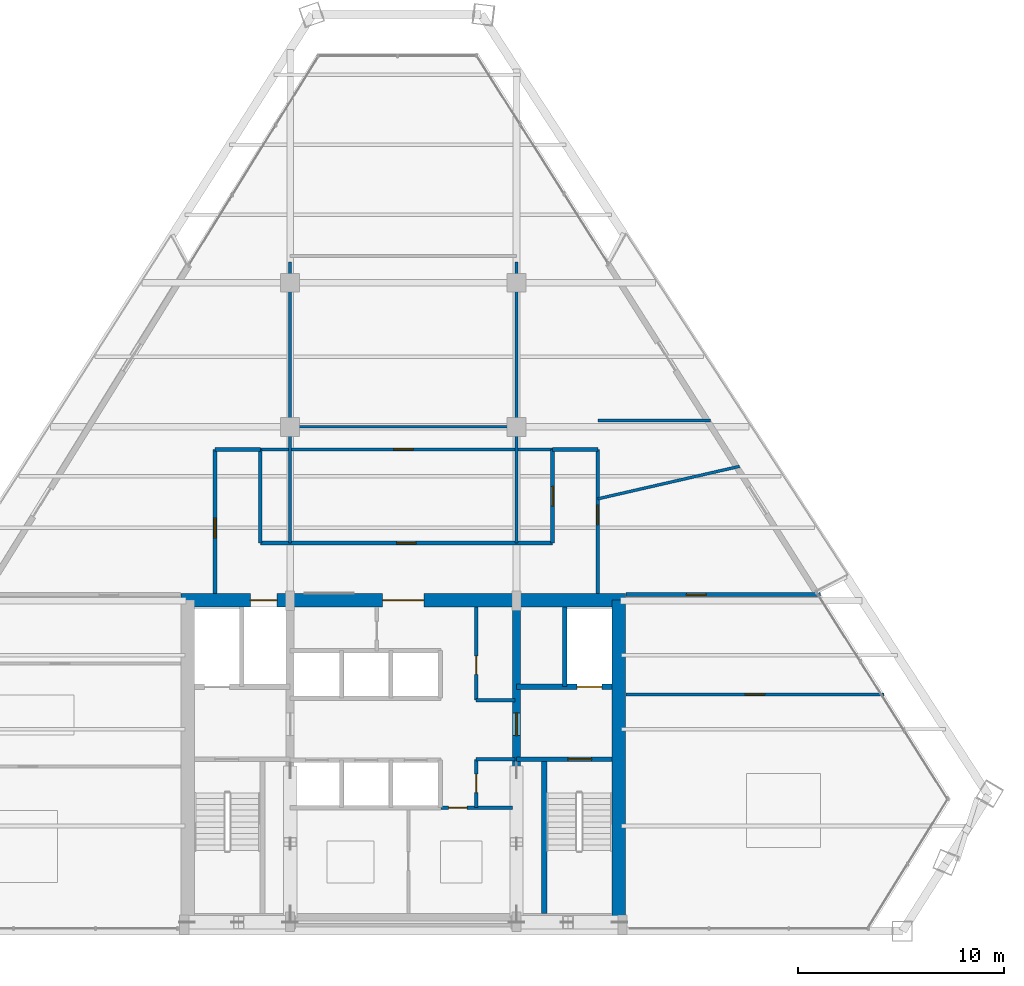
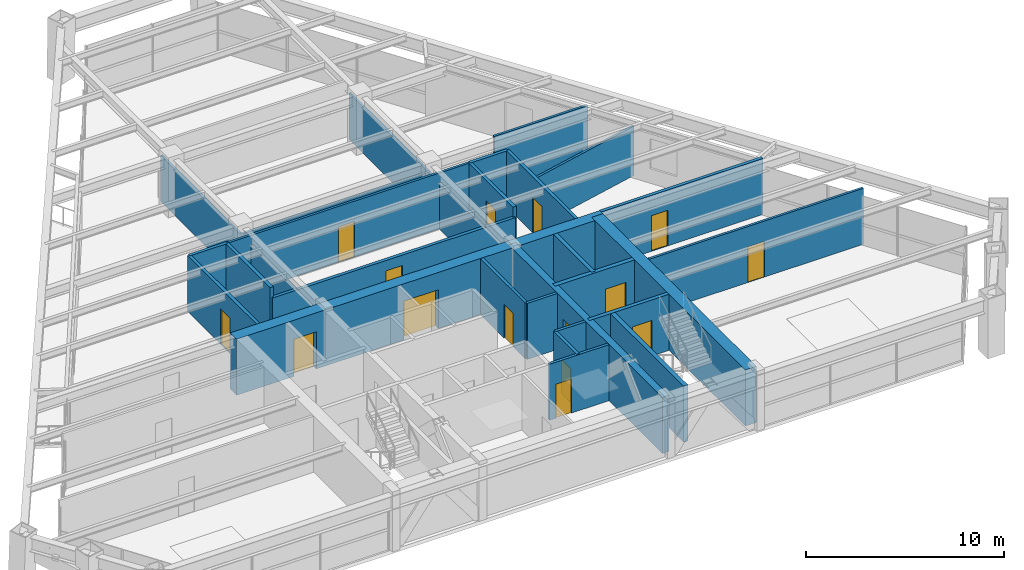
# One storey, part 12 of 15: 27 walls, 15 doors, 15 openings.
"""IFC4 building model written with IfcOpenShell, lengths in metres."""

import ifcopenshell
import ifcopenshell.guid

model = None  # the IFC model being written
_history = None  # IfcOwnerHistory: only IFC2X3 demands one
_inside = {}  # id of a spatial element -> (the spatial element, [elements in it])
_under = {}  # id of a project, library or spatial element -> (it, [spatial elements below it])
_declared = {}  # id of a project -> (the project, [libraries it declares])
_typed = {}  # id of a type object -> (the type object, [elements of that type])
_made_of = {}  # id of a material, layer set ... -> (it, [elements and type objects made of it])


def new_model(schema):
    """Start an empty IFC model of exactly this schema.

    Asked for "IFC4X3", IfcOpenShell would pick the latest addendum, in which some entities
    have other attributes; the version numbers below select the first issue.
    IFC2X3 requires an IfcOwnerHistory on every rooted entity: one is made here for all.
    """
    global model, _history
    if schema == "IFC4X3":
        model = ifcopenshell.file(schema_version=(4, 3, 0, 0))
    else:
        model = ifcopenshell.file(schema=schema)
    _inside.clear()
    _under.clear()
    _declared.clear()
    _typed.clear()
    _made_of.clear()
    _history = None
    if model.schema == "IFC2X3":
        org = make("IfcOrganization", Name="unknown")
        user = make(
            "IfcPersonAndOrganization",
            ThePerson=make("IfcPerson", FamilyName="unknown"),
            TheOrganization=org,
        )
        app = make(
            "IfcApplication",
            ApplicationDeveloper=org,
            Version="unknown",
            ApplicationFullName="unknown",
            ApplicationIdentifier="unknown",
        )
        _history = make(
            "IfcOwnerHistory",
            OwningUser=user,
            OwningApplication=app,
            ChangeAction="ADDED",
            CreationDate=0,
        )
    return model


def make(cls, **values):
    """One entity of the class cls with the attributes given. An attribute that is None is left unset."""
    return model.create_entity(
        cls, **{name: value for name, value in values.items() if value is not None}
    )


def rooted(cls, **values):
    """An entity with a GlobalId (a new one), such as an element, a storey or a relation."""
    return make(cls, GlobalId=ifcopenshell.guid.new(), OwnerHistory=_history, **values)


def si_unit(unit_type, name, prefix=None):
    """IfcSIUnit, for example si_unit("LENGTHUNIT", "METRE", prefix="MILLI")."""
    return make("IfcSIUnit", UnitType=unit_type, Prefix=prefix, Name=name)


def assignment(units):
    """IfcUnitAssignment: the units of a project."""
    return None if units is None else make("IfcUnitAssignment", Units=units)


def point(xyz):
    """IfcCartesianPoint."""
    return None if xyz is None else make("IfcCartesianPoint", Coordinates=xyz)


def direction(xyz):
    """IfcDirection."""
    return None if xyz is None else make("IfcDirection", DirectionRatios=xyz)


def frame(location, z_axis=None, x_axis=None):
    """IfcAxis2Placement3D, a coordinate frame: its origin and axes. An axis left out is left unset."""
    return make(
        "IfcAxis2Placement3D",
        Location=point(location),
        Axis=direction(z_axis),
        RefDirection=direction(x_axis),
    )


def frame_2d(location, x_axis=None):
    """IfcAxis2Placement2D, a coordinate frame in the plane: its origin and x axis."""
    return make(
        "IfcAxis2Placement2D", Location=point(location), RefDirection=direction(x_axis)
    )


def origin():
    """The frame at (0, 0, 0) with its axes left unset."""
    return frame((0.0, 0.0, 0.0))


def place(relative_to, where):
    """IfcLocalPlacement: puts the frame where relative to a parent placement (None: the world)."""
    return make(
        "IfcLocalPlacement", PlacementRelTo=relative_to, RelativePlacement=where
    )


def context(
    kind, dimensions, precision=None, world=None, true_north=None, identifier=None
):
    """IfcGeometricRepresentationContext, for example the 3D "Model" context."""
    return make(
        "IfcGeometricRepresentationContext",
        ContextIdentifier=identifier,
        ContextType=kind,
        CoordinateSpaceDimension=dimensions,
        Precision=precision,
        WorldCoordinateSystem=world,
        TrueNorth=true_north,
    )


def subcontext(parent, identifier, kind, view, scale=None):
    """IfcGeometricRepresentationSubContext, for example "Body" below "Model"."""
    return make(
        "IfcGeometricRepresentationSubContext",
        ContextIdentifier=identifier,
        ContextType=kind,
        ParentContext=parent,
        TargetScale=scale,
        TargetView=view,
    )


def project(units=None, contexts=None):
    """IfcProject with its units and contexts."""
    return rooted(
        "IfcProject",
        Name="project",
        RepresentationContexts=contexts,
        UnitsInContext=assignment(units),
    )


def spatial(cls, under=None, at=None, **own):
    """A site, building, storey or space (cls), placed at a placement, below another one or the project."""
    s = rooted(cls, ObjectPlacement=at, **own)
    if under is not None:
        _under.setdefault(under.id(), (under, []))[1].append(s)
    return s


def profile(cls, at=None, kind="AREA", **sizes):
    """A parametric profile (cls). Its sizes go by their IFC names, for example OverallWidth=200.0."""
    return make(cls, ProfileType=kind, Position=at, **sizes)


def rectangle(**sizes):
    """IfcRectangleProfileDef."""
    return profile("IfcRectangleProfileDef", **sizes)


def extrude(swept, where, along, depth):
    """IfcExtrudedAreaSolid: the profile swept, set in the frame where, extruded along a direction by depth."""
    return make(
        "IfcExtrudedAreaSolid",
        SweptArea=swept,
        Position=where,
        ExtrudedDirection=direction(along),
        Depth=depth,
    )


def shape(context_of_items, identifier, shape_type, items):
    """IfcShapeRepresentation: the items that make up one representation, for example the "Body"."""
    return make(
        "IfcShapeRepresentation",
        ContextOfItems=context_of_items,
        RepresentationIdentifier=identifier,
        RepresentationType=shape_type,
        Items=items,
    )


def source(mapping_origin, context_of_items, identifier, shape_type, items):
    """IfcRepresentationMap: a shape defined once, which mapped items show again and again."""
    return make(
        "IfcRepresentationMap",
        MappingOrigin=mapping_origin,
        MappedRepresentation=shape(context_of_items, identifier, shape_type, items),
    )


def transform(
    local_origin,
    x_axis=None,
    y_axis=None,
    z_axis=None,
    scale=None,
    scale2=None,
    scale3=None,
    uniform=True,
):
    """IfcCartesianTransformationOperator3D, or its non-uniform kind. x_axis, y_axis, z_axis: its Axis1, 2, 3."""
    if uniform:
        return make(
            "IfcCartesianTransformationOperator3D",
            Axis1=direction(x_axis),
            Axis2=direction(y_axis),
            LocalOrigin=point(local_origin),
            Scale=scale,
            Axis3=direction(z_axis),
        )
    return make(
        "IfcCartesianTransformationOperator3DnonUniform",
        Axis1=direction(x_axis),
        Axis2=direction(y_axis),
        LocalOrigin=point(local_origin),
        Scale=scale,
        Axis3=direction(z_axis),
        Scale2=scale2,
        Scale3=scale3,
    )


def mapped(mapping_source, mapping_target):
    """IfcMappedItem: shows the shape of a source again, moved by a transform."""
    return make(
        "IfcMappedItem", MappingSource=mapping_source, MappingTarget=mapping_target
    )


def material(Name=None, Category=None):
    """IfcMaterial."""
    return make("IfcMaterial", Name=Name, Category=Category)


def layer(
    of_material, thickness, ventilated=None, Name=None, Category=None, Priority=None
):
    """IfcMaterialLayer: one layer of a wall or slab, of a material (None: an air gap)."""
    return make(
        "IfcMaterialLayer",
        Material=of_material,
        LayerThickness=thickness,
        IsVentilated=ventilated,
        Name=Name,
        Category=Category,
        Priority=Priority,
    )


def layer_set(layers, Name=None):
    """IfcMaterialLayerSet."""
    return make("IfcMaterialLayerSet", MaterialLayers=layers, LayerSetName=Name)


def made_of(thing, what):
    """Note that an element or type object is made of a material, layer set ...; save() writes the relation."""
    if what is not None:
        _made_of.setdefault(what.id(), (what, []))[1].append(thing)
    return thing


def type_object(cls, material=None, **own):
    """A type object (cls), such as IfcWallType, which elements share."""
    return made_of(rooted(cls, **own), material)


def type_shapes(of_type, sources):
    """Give a type object the sources (RepresentationMaps) that its elements show as mapped items."""
    of_type.RepresentationMaps = sources


def element(
    cls,
    number,
    at=None,
    inside=None,
    cuts=None,
    type_object=None,
    material=None,
    context=None,
    identifier="Body",
    shape_type=None,
    held_by="IfcProductDefinitionShape",
    body=None,
    shapes=None,
    **own,
):
    """One element of the class cls, such as IfcWall. Its Tag is "e" and its number.

    at: its placement. inside: the storey or other place that contains it. cuts: it is an
    opening in that element (IfcRelVoidsElement). A single representation is given by context,
    identifier, shape_type and body (its items); several are given by shapes. held_by: the class
    of the entity that holds the representations. save() writes the other relations.
    """
    e = rooted(cls, Tag="e%d" % number, ObjectPlacement=at, **own)
    if body is not None:
        shapes = [shape(context, identifier, shape_type, body)]
    if shapes is not None:
        e.Representation = make(held_by, Representations=shapes)
    if inside is not None:
        _inside.setdefault(inside.id(), (inside, []))[1].append(e)
    if cuts is not None:
        rooted(
            "IfcRelVoidsElement", RelatingBuildingElement=cuts, RelatedOpeningElement=e
        )
    if type_object is not None:
        _typed.setdefault(type_object.id(), (type_object, []))[1].append(e)
    return made_of(e, material)


def fill(opening, filler):
    """IfcRelFillsElement: the door or window that sits in an opening."""
    return rooted(
        "IfcRelFillsElement",
        RelatingOpeningElement=opening,
        RelatedBuildingElement=filler,
    )


def aggregate(whole, parts):
    """IfcRelAggregates: a whole, such as a stair, and the parts it consists of."""
    return rooted("IfcRelAggregates", RelatingObject=whole, RelatedObjects=parts)


def save(model, path):
    """Write the relations noted so far, then the file.

    IfcRelAggregates (storeys below a building ...), IfcRelContainedInSpatialStructure (elements
    in a storey), IfcRelDefinesByType, IfcRelAssociatesMaterial and IfcRelDeclares: one each for
    every whole, place, type object, material and project.
    """
    for whole, parts in _under.values():
        aggregate(whole, parts)
    for where, things in _inside.values():
        rooted(
            "IfcRelContainedInSpatialStructure",
            RelatedElements=things,
            RelatingStructure=where,
        )
    for kind, things in _typed.values():
        rooted("IfcRelDefinesByType", RelatedObjects=things, RelatingType=kind)
    for what, things in _made_of.values():
        rooted("IfcRelAssociatesMaterial", RelatedObjects=things, RelatingMaterial=what)
    for by, libraries in _declared.values():
        rooted("IfcRelDeclares", RelatingContext=by, RelatedDefinitions=libraries)
    model.write(path)


model = new_model("IFC4")

# Units and contexts
model_context = context("Model", 3, precision=1e-05, world=origin(), true_north=direction((0.0, 1.0)))
body_context = subcontext(model_context, "Body", "Model", "MODEL_VIEW")
ifc_project = project(units=[si_unit("LENGTHUNIT", "METRE"), si_unit("AREAUNIT", "SQUARE_METRE"), si_unit("VOLUMEUNIT", "CUBIC_METRE"), si_unit("PLANEANGLEUNIT", "RADIAN"), si_unit("MASSUNIT", "GRAM", prefix="KILO")], contexts=[model_context])

# Site, building, storey
site_placement = place(None, origin())
site = spatial("IfcSite", under=ifc_project, at=site_placement, CompositionType="ELEMENT")
building_placement = place(site_placement, origin())
building = spatial("IfcBuilding", under=site, at=building_placement, Name="Varnakhor Terracotta Tower", CompositionType="ELEMENT")
storey_placement = place(building_placement, frame((0.0, 0.0, 185.800048828125)))
storey = spatial("IfcBuildingStorey", under=building, at=storey_placement, Name="L47", CompositionType="ELEMENT", Elevation=185.800048828125)

# Wall, openings, doors
ifc_material_1 = material(Name="Concrete C50/60", Category="concrete")
ifc_layer_1 = layer(ifc_material_1, 0.64990234375, Name="Concrete C50/60")
ifc_layer_set_1 = layer_set([ifc_layer_1], Name="Concrete C50/60")
wall_type_1 = type_object("IfcWallType", Name="WAL-CORE-650", PredefinedType="SHEAR", material=ifc_layer_set_1)
wall_1_placement = place(storey_placement, frame((-10.800048828125, 16.074951171875, 0.0), z_axis=(0.0, 0.0, 1.0), x_axis=(1.0, 0.0, 0.0)))
wall_1 = element("IfcWall", 1, at=wall_1_placement, inside=storey, type_object=wall_type_1, Name="L47 North Core Shear Wall", PredefinedType="SHEAR", context=body_context, shape_type="SweptSolid", body=[
    extrude(rectangle(XDim=21.60009765625, YDim=0.64990234375, at=frame_2d((10.800048828125, 0.0))), origin(), (0.0, 0.0, 1.0), 3.469970703125),
])
opening_1_placement = place(wall_1_placement, frame((3.3701171875, 0.0, 0.0)))
opening_1 = element("IfcOpeningElement", 2, at=opening_1_placement, cuts=wall_1, Name="Opening LD-03", PredefinedType="OPENING", context=body_context, shape_type="SweptSolid", body=[
    extrude(rectangle(XDim=1.300048828125, YDim=2.300048828125, at=frame_2d((0.64990234375, 1.14990234375))), frame((0.0, 0.3349609375, 0.0), z_axis=(0.0, -1.0, 0.0), x_axis=(1.0, 0.0, 0.0)), (0.0, 0.0, 1.0), 0.669921875),
])
opening_2_placement = place(wall_1_placement, frame((9.800048828125, 0.0, 0.0)))
opening_2 = element("IfcOpeningElement", 3, at=opening_2_placement, cuts=wall_1, Name="Opening DR-32", PredefinedType="OPENING", context=body_context, shape_type="SweptSolid", body=[
    extrude(rectangle(XDim=2.0, YDim=2.39990234375, at=frame_2d((1.0, 1.199951171875))), frame((0.0, 0.3349609375, 0.0), z_axis=(0.0, -1.0, 0.0), x_axis=(1.0, 0.0, 0.0)), (0.0, 0.0, 1.0), 0.669921875),
])
ifc_material_2 = material(Name="Heavy-Duty Goods Sliding Lift Landing Door", Category="steel")
door_type_1 = type_object("IfcDoorType", Name="LD-SRV-1300X2300", OperationType="NOTDEFINED", PredefinedType="DOOR", material=ifc_material_2)
shared_shape_1 = source(origin(), body_context, "Body", "SweptSolid", [
    extrude(rectangle(XDim=1.300048828125, YDim=2.300048828125, at=frame_2d((0.64990234375, 1.14990234375))), frame((0.0, 0.02490234375, 0.0), z_axis=(0.0, -1.0, 0.0), x_axis=(1.0, 0.0, 0.0)), (0.0, 0.0, 1.0), 0.050048828125),
])
type_shapes(door_type_1, [shared_shape_1])
door_1_placement = place(opening_1_placement, origin())
door_1 = element("IfcDoor", 4, at=door_1_placement, inside=storey, type_object=door_type_1, Name="L47 Service Lift SVL-1 Landing Door", OperationType="SLIDING_TO_RIGHT", OverallHeight=2.300048828125, OverallWidth=1.300048828125, PredefinedType="DOOR", context=body_context, shape_type="MappedRepresentation", body=[
    mapped(shared_shape_1, transform((0.0, 0.0, 0.0), scale=1.0)),
])
fill(opening_1, door_1)
ifc_material_3 = material(Name="Acoustic Double Assembly Fire Door", Category="wood")
door_type_2 = type_object("IfcDoorType", Name="DR-HALL-2000X2400", OperationType="NOTDEFINED", PredefinedType="DOOR", material=ifc_material_3)
shared_shape_2 = source(origin(), body_context, "Body", "SweptSolid", [
    extrude(rectangle(XDim=2.0, YDim=2.39990234375, at=frame_2d((1.0, 1.199951171875))), frame((0.0, 0.02490234375, 0.0), z_axis=(0.0, -1.0, 0.0), x_axis=(1.0, 0.0, 0.0)), (0.0, 0.0, 1.0), 0.050048828125),
])
type_shapes(door_type_2, [shared_shape_2])
door_2_placement = place(opening_2_placement, origin())
door_2 = element("IfcDoor", 5, at=door_2_placement, inside=storey, type_object=door_type_2, Name="L47 Core Main Lobby Double Door", OperationType="DOUBLE_DOOR_SINGLE_SWING", OverallHeight=2.39990234375, OverallWidth=2.0, PredefinedType="DOOR", context=body_context, shape_type="MappedRepresentation", body=[
    mapped(shared_shape_2, transform((0.0, 0.0, 0.0), scale=1.0)),
])
fill(opening_2, door_2)

# Wall
wall_2_placement = place(storey_placement, frame((10.47509765625, 0.52490234375, 0.0), z_axis=(0.0, 0.0, 1.0), x_axis=(0.0, 1.0, 0.0)))
element("IfcWall", 6, at=wall_2_placement, inside=storey, type_object=wall_type_1, Name="L47 East Core Shear Wall", PredefinedType="SHEAR", context=body_context, shape_type="SweptSolid", body=[
    extrude(rectangle(XDim=15.550048828125, YDim=0.64990234375, at=frame_2d((7.77490234375, 0.0))), origin(), (0.0, 0.0, 1.0), 3.469970703125),
])

# Wall, opening, door
ifc_layer_2 = layer(ifc_material_1, 0.39990234375, Name="Concrete C50/60")
ifc_layer_set_2 = layer_set([ifc_layer_2], Name="Concrete C50/60")
wall_type_2 = type_object("IfcWallType", Name="WAL-CORE-WEB-400", PredefinedType="SHEAR", material=ifc_layer_set_2)
wall_3_placement = place(storey_placement, frame((5.5, 0.52490234375, 0.0), z_axis=(0.0, 0.0, 1.0), x_axis=(0.0, 1.0, 0.0)))
wall_3 = element("IfcWall", 7, at=wall_3_placement, inside=storey, type_object=wall_type_2, Name="L47 East Core Web Shear Wall", PredefinedType="SHEAR", context=body_context, shape_type="SweptSolid", body=[
    extrude(rectangle(XDim=15.550048828125, YDim=0.39990234375, at=frame_2d((7.77490234375, 0.0))), origin(), (0.0, 0.0, 1.0), 3.469970703125),
])
opening_3_placement = place(wall_3_placement, frame((8.97509765625, 0.0, 0.0)))
opening_3 = element("IfcOpeningElement", 8, at=opening_3_placement, cuts=wall_3, Name="Opening DR-25", PredefinedType="OPENING", context=body_context, shape_type="SweptSolid", body=[
    extrude(rectangle(XDim=1.10009765625, YDim=2.199951171875, at=frame_2d((0.550048828125, 1.10009765625))), frame((0.0, 0.2099609375, 0.0), z_axis=(0.0, -1.0, 0.0), x_axis=(1.0, 0.0, 0.0)), (0.0, 0.0, 1.0), 0.419921875),
])
ifc_material_4 = material(Name="Firefighting Lobby Self-Closing Fire Door", Category="steel")
door_type_3 = type_object("IfcDoorType", Name="DR-FFL-1100X2200", OperationType="NOTDEFINED", PredefinedType="DOOR", material=ifc_material_4)
shared_shape_3 = source(origin(), body_context, "Body", "SweptSolid", [
    extrude(rectangle(XDim=1.10009765625, YDim=2.199951171875, at=frame_2d((0.550048828125, 1.10009765625))), frame((0.0, 0.02490234375, 0.0), z_axis=(0.0, -1.0, 0.0), x_axis=(1.0, 0.0, 0.0)), (0.0, 0.0, 1.0), 0.050048828125),
])
type_shapes(door_type_3, [shared_shape_3])
door_3_placement = place(opening_3_placement, origin())
door_3 = element("IfcDoor", 9, at=door_3_placement, inside=storey, type_object=door_type_3, Name="L47 East Firefighting Lobby Door", OperationType="SINGLE_SWING_LEFT", OverallHeight=2.199951171875, OverallWidth=1.10009765625, PredefinedType="DOOR", context=body_context, shape_type="MappedRepresentation", body=[
    mapped(shared_shape_3, transform((0.0, 0.0, 0.0), scale=1.0)),
])
fill(opening_3, door_3)

ifc_material_5 = material(Name="Fire-Rated Gypsum Stud Partition", Category="gypsum")
ifc_layer_3 = layer(ifc_material_5, 0.18505859375, Name="Fire-Rated Gypsum Stud Partition")
ifc_layer_set_3 = layer_set([ifc_layer_3], Name="Fire-Rated Gypsum Stud Partition")
wall_type_3 = type_object("IfcWallType", Name="WAL-CORR-185", PredefinedType="PARTITIONING", material=ifc_layer_set_3)
wall_4_placement = place(storey_placement, frame((-6.949951171875, 18.85009765625, 0.0), z_axis=(0.0, 0.0, 1.0), x_axis=(1.0, 0.0, 0.0)))
wall_4 = element("IfcWall", 10, at=wall_4_placement, inside=storey, type_object=wall_type_3, Name="L47 Central Gallery Link Wall", PredefinedType="PARTITIONING", context=body_context, shape_type="SweptSolid", body=[
    extrude(rectangle(XDim=14.199951171875, YDim=0.18505859375, at=frame_2d((7.10009765625, 0.0))), origin(), (0.0, 0.0, 1.0), 2.845947265625),
])
opening_4_placement = place(wall_4_placement, frame((6.625, 0.0, 0.0)))
opening_4 = element("IfcOpeningElement", 11, at=opening_4_placement, cuts=wall_4, Name="Opening DR-94", PredefinedType="OPENING", context=body_context, shape_type="SweptSolid", body=[
    extrude(rectangle(XDim=0.949951171875, YDim=2.199951171875, at=frame_2d((0.47509765625, 1.10009765625))), frame((0.0, 0.1025390625, 0.0), z_axis=(0.0, -1.0, 0.0), x_axis=(1.0, 0.0, 0.0)), (0.0, 0.0, 1.0), 0.205078125),
])
ifc_material_6 = material(Name="Acoustic Glazed-Vision Timber Office Door", Category="wood")
door_type_4 = type_object("IfcDoorType", Name="DR-OFF-950X2200", OperationType="NOTDEFINED", PredefinedType="DOOR", material=ifc_material_6)
shared_shape_4 = source(origin(), body_context, "Body", "SweptSolid", [
    extrude(rectangle(XDim=0.949951171875, YDim=2.199951171875, at=frame_2d((0.47509765625, 1.10009765625))), frame((0.0, 0.02490234375, 0.0), z_axis=(0.0, -1.0, 0.0), x_axis=(1.0, 0.0, 0.0)), (0.0, 0.0, 1.0), 0.050048828125),
])
type_shapes(door_type_4, [shared_shape_4])
door_4_placement = place(opening_4_placement, origin())
door_4 = element("IfcDoor", 12, at=door_4_placement, inside=storey, type_object=door_type_4, Name="L47 Center Suite Door", OperationType="SINGLE_SWING_LEFT", OverallHeight=2.199951171875, OverallWidth=0.949951171875, PredefinedType="DOOR", context=body_context, shape_type="MappedRepresentation", body=[
    mapped(shared_shape_4, transform((0.0, 0.0, 0.0), scale=1.0)),
])
fill(opening_4, door_4)

# Wall
wall_5_placement = place(storey_placement, frame((-6.949951171875, 18.85009765625, 0.0), z_axis=(0.0, 0.0, 1.0), x_axis=(0.0, 1.0, 0.0)))
element("IfcWall", 13, at=wall_5_placement, inside=storey, type_object=wall_type_3, Name="L47 West Gallery Inner Wall", PredefinedType="PARTITIONING", context=body_context, shape_type="SweptSolid", body=[
    extrude(rectangle(XDim=4.5498046875, YDim=0.18505859375, at=frame_2d((2.27490234375, 0.0))), origin(), (0.0, 0.0, 1.0), 3.4619140625),
])

# Wall, opening, door
wall_6_placement = place(storey_placement, frame((7.25, 18.85009765625, 0.0), z_axis=(0.0, 0.0, 1.0), x_axis=(0.0, 1.0, 0.0)))
wall_6 = element("IfcWall", 14, at=wall_6_placement, inside=storey, type_object=wall_type_3, Name="L47 East Gallery Inner Wall", PredefinedType="PARTITIONING", context=body_context, shape_type="SweptSolid", body=[
    extrude(rectangle(XDim=4.5498046875, YDim=0.18505859375, at=frame_2d((2.27490234375, 0.0))), origin(), (0.0, 0.0, 1.0), 3.4619140625),
])
opening_5_placement = place(wall_6_placement, frame((1.800048828125, 0.0, 0.0)))
opening_5 = element("IfcOpeningElement", 15, at=opening_5_placement, cuts=wall_6, Name="Opening DR-94", PredefinedType="OPENING", context=body_context, shape_type="SweptSolid", body=[
    extrude(rectangle(XDim=0.949951171875, YDim=2.199951171875, at=frame_2d((0.47509765625, 1.10009765625))), frame((0.0, 0.1025390625, 0.0), z_axis=(0.0, -1.0, 0.0), x_axis=(1.0, 0.0, 0.0)), (0.0, 0.0, 1.0), 0.205078125),
])
door_5_placement = place(opening_5_placement, origin())
door_5 = element("IfcDoor", 16, at=door_5_placement, inside=storey, type_object=door_type_4, Name="L47 Corporate Office 1 B9 Door", OperationType="SINGLE_SWING_RIGHT", OverallHeight=2.199951171875, OverallWidth=0.949951171875, PredefinedType="DOOR", context=body_context, shape_type="MappedRepresentation", body=[
    mapped(shared_shape_4, transform((0.0, 0.0, 0.0), scale=1.0)),
])
fill(opening_5, door_5)

wall_7_placement = place(storey_placement, frame((-9.14990234375, 16.39990234375, 0.0), z_axis=(0.0, 0.0, 1.0), x_axis=(0.0, 1.0, 0.0)))
wall_7 = element("IfcWall", 17, at=wall_7_placement, inside=storey, type_object=wall_type_3, Name="L47 West Gallery Outer Wall", PredefinedType="PARTITIONING", context=body_context, shape_type="SweptSolid", body=[
    extrude(rectangle(XDim=7.0, YDim=0.18505859375, at=frame_2d((3.5, 0.0))), origin(), (0.0, 0.0, 1.0), 3.4619140625),
])
opening_6_placement = place(wall_7_placement, frame((2.708984375, 0.0, 0.0)))
opening_6 = element("IfcOpeningElement", 18, at=opening_6_placement, cuts=wall_7, Name="Opening DR-94", PredefinedType="OPENING", context=body_context, shape_type="SweptSolid", body=[
    extrude(rectangle(XDim=0.949951171875, YDim=2.199951171875, at=frame_2d((0.47509765625, 1.10009765625))), frame((0.0, 0.1025390625, 0.0), z_axis=(0.0, -1.0, 0.0), x_axis=(1.0, 0.0, 0.0)), (0.0, 0.0, 1.0), 0.205078125),
])
door_6_placement = place(opening_6_placement, origin())
door_6 = element("IfcDoor", 19, at=door_6_placement, inside=storey, type_object=door_type_4, Name="L47 West Wing Door", OperationType="SINGLE_SWING_RIGHT", OverallHeight=2.199951171875, OverallWidth=0.949951171875, PredefinedType="DOOR", context=body_context, shape_type="MappedRepresentation", body=[
    mapped(shared_shape_4, transform((0.0, 0.0, 0.0), scale=1.0)),
])
fill(opening_6, door_6)

wall_8_placement = place(storey_placement, frame((9.449951171875, 16.39990234375, 0.0), z_axis=(0.0, 0.0, 1.0), x_axis=(0.0, 1.0, 0.0)))
wall_8 = element("IfcWall", 20, at=wall_8_placement, inside=storey, type_object=wall_type_3, Name="L47 East Gallery Outer Wall", PredefinedType="PARTITIONING", context=body_context, shape_type="SweptSolid", body=[
    extrude(rectangle(XDim=7.0, YDim=0.18505859375, at=frame_2d((3.5, 0.0))), origin(), (0.0, 0.0, 1.0), 3.4619140625),
])
opening_7_placement = place(wall_8_placement, frame((3.341064453125, 0.0, 0.0)))
opening_7 = element("IfcOpeningElement", 21, at=opening_7_placement, cuts=wall_8, Name="Opening DR-94", PredefinedType="OPENING", context=body_context, shape_type="SweptSolid", body=[
    extrude(rectangle(XDim=0.949951171875, YDim=2.199951171875, at=frame_2d((0.47509765625, 1.10009765625))), frame((0.0, 0.1025390625, 0.0), z_axis=(0.0, -1.0, 0.0), x_axis=(1.0, 0.0, 0.0)), (0.0, 0.0, 1.0), 0.205078125),
])
door_7_placement = place(opening_7_placement, origin())
door_7 = element("IfcDoor", 22, at=door_7_placement, inside=storey, type_object=door_type_4, Name="L47 East Wing Door", OperationType="SINGLE_SWING_LEFT", OverallHeight=2.199951171875, OverallWidth=0.949951171875, PredefinedType="DOOR", context=body_context, shape_type="MappedRepresentation", body=[
    mapped(shared_shape_4, transform((0.0, 0.0, 0.0), scale=1.0)),
])
fill(opening_7, door_7)

# Walls
for number, where, z_axis, x_axis, name in (
    (23, (-9.14990234375, 23.39990234375, 0.0), (0.0, 0.0, 1.0), (1.0, 0.0, 0.0), "L47 West Gallery North End"),
    (24, (7.25, 23.39990234375, 0.0), (0.0, 0.0, 1.0), (1.0, 0.0, 0.0), "L47 East Gallery North End"),
):
    element("IfcWall", number, at=place(storey_placement, frame(where, z_axis=z_axis, x_axis=x_axis)), inside=storey, type_object=wall_type_3, Name=name, PredefinedType="PARTITIONING", context=body_context, shape_type="SweptSolid", body=[
        extrude(rectangle(XDim=2.199951171875, YDim=0.18505859375, at=frame_2d((1.10009765625, 0.0))), origin(), (0.0, 0.0, 1.0), 3.4619140625),
    ])

# Wall, opening, door
wall_9_placement = place(storey_placement, frame((10.820068359375, 16.35009765625, 0.0), z_axis=(0.0, 0.0, 1.0), x_axis=(1.0, 0.0, 0.0)))
wall_9 = element("IfcWall", 25, at=wall_9_placement, inside=storey, type_object=wall_type_3, Name="L47 South East Entry Wall", PredefinedType="PARTITIONING", context=body_context, shape_type="SweptSolid", body=[
    extrude(rectangle(XDim=9.45751953125, YDim=0.18505859375, at=frame_2d((4.728759765625, 0.0))), origin(), (0.0, 0.0, 1.0), 3.4619140625),
])
opening_8_placement = place(wall_9_placement, frame((2.93701171875, 0.0, 0.0)))
opening_8 = element("IfcOpeningElement", 26, at=opening_8_placement, cuts=wall_9, Name="Opening DR-94", PredefinedType="OPENING", context=body_context, shape_type="SweptSolid", body=[
    extrude(rectangle(XDim=0.949951171875, YDim=2.199951171875, at=frame_2d((0.47509765625, 1.10009765625))), frame((0.0, 0.1025390625, 0.0), z_axis=(0.0, -1.0, 0.0), x_axis=(1.0, 0.0, 0.0)), (0.0, 0.0, 1.0), 0.205078125),
])
door_8_placement = place(opening_8_placement, origin())
door_8 = element("IfcDoor", 27, at=door_8_placement, inside=storey, type_object=door_type_4, Name="L47 SE Suite Door", OperationType="SINGLE_SWING_LEFT", OverallHeight=2.199951171875, OverallWidth=0.949951171875, PredefinedType="DOOR", context=body_context, shape_type="MappedRepresentation", body=[
    mapped(shared_shape_4, transform((0.0, 0.0, 0.0), scale=1.0)),
])
fill(opening_8, door_8)

ifc_material_7 = material(Name="Concrete C40/50", Category="concrete")
ifc_layer_4 = layer(ifc_material_7, 0.219970703125, Name="Concrete C40/50")
ifc_layer_set_4 = layer_set([ifc_layer_4], Name="Concrete C40/50")
wall_type_4 = type_object("IfcWallType", Name="WAL-FFLOBBY-220", PredefinedType="SOLIDWALL", material=ifc_layer_set_4)
wall_10_placement = place(storey_placement, frame((10.14990234375, 8.35009765625, 0.0), z_axis=(0.0, 0.0, 1.0), x_axis=(-1.0, 0.0, 0.0)))
wall_10 = element("IfcWall", 28, at=wall_10_placement, inside=storey, type_object=wall_type_4, Name="L47 East Firefighting Lobby Stair Wall", PredefinedType="SOLIDWALL", context=body_context, shape_type="SweptSolid", body=[
    extrude(rectangle(XDim=4.64990234375, YDim=0.219970703125, at=frame_2d((2.324951171875, 0.0))), origin(), (0.0, 0.0, 1.0), 3.469970703125),
])
opening_9_placement = place(wall_10_placement, frame((1.0, 0.0, 0.0)))
opening_9 = element("IfcOpeningElement", 29, at=opening_9_placement, cuts=wall_10, Name="Opening DR-34", PredefinedType="OPENING", context=body_context, shape_type="SweptSolid", body=[
    extrude(rectangle(XDim=1.14990234375, YDim=2.199951171875, at=frame_2d((0.574951171875, 1.10009765625))), frame((0.0, 0.1201171875, 0.0), z_axis=(0.0, -1.0, 0.0), x_axis=(1.0, 0.0, 0.0)), (0.0, 0.0, 1.0), 0.239990234375),
])
ifc_material_8 = material(Name="Self-Closing Smoke-Sealed Steel Fire Door", Category="steel")
door_type_5 = type_object("IfcDoorType", Name="DR-STAIR-1150X2200", OperationType="NOTDEFINED", PredefinedType="DOOR", material=ifc_material_8)
shared_shape_5 = source(origin(), body_context, "Body", "SweptSolid", [
    extrude(rectangle(XDim=1.14990234375, YDim=2.199951171875, at=frame_2d((0.574951171875, 1.10009765625))), frame((0.0, 0.02490234375, 0.0), z_axis=(0.0, -1.0, 0.0), x_axis=(1.0, 0.0, 0.0)), (0.0, 0.0, 1.0), 0.050048828125),
])
type_shapes(door_type_5, [shared_shape_5])
door_9_placement = place(opening_9_placement, origin())
door_9 = element("IfcDoor", 30, at=door_9_placement, inside=storey, type_object=door_type_5, Name="L47 Exit Stair ST-2 Fire Door", OperationType="SINGLE_SWING_RIGHT", OverallHeight=2.199951171875, OverallWidth=1.14990234375, PredefinedType="DOOR", context=body_context, shape_type="MappedRepresentation", body=[
    mapped(shared_shape_5, transform((0.0, 0.0, 0.0), scale=1.0)),
])
fill(opening_9, door_9)

ifc_material_9 = material(Name="Acoustic Metal-Stud Partition", Category="gypsum")
ifc_layer_5 = layer(ifc_material_9, 0.139892578125, Name="Acoustic Metal-Stud Partition")
ifc_layer_set_5 = layer_set([ifc_layer_5], Name="Acoustic Metal-Stud Partition")
wall_type_5 = type_object("IfcWallType", Name="WAL-PART-140", PredefinedType="PARTITIONING", material=ifc_layer_set_5)
wall_11_placement = place(storey_placement, frame((-6.949951171875, 23.39990234375, 0.0), z_axis=(0.0, 0.0, 1.0), x_axis=(1.0, 0.0, 0.0)))
wall_11 = element("IfcWall", 31, at=wall_11_placement, inside=storey, type_object=wall_type_5, Name="L47 Gallery Center Cap Wall", PredefinedType="PARTITIONING", context=body_context, shape_type="SweptSolid", body=[
    extrude(rectangle(XDim=14.199951171875, YDim=0.139892578125, at=frame_2d((7.10009765625, 0.0))), origin(), (0.0, 0.0, 1.0), 3.4619140625),
])
opening_10_placement = place(wall_11_placement, frame((6.482177734375, 0.0, 0.0)))
opening_10 = element("IfcOpeningElement", 32, at=opening_10_placement, cuts=wall_11, Name="Opening DR-94", PredefinedType="OPENING", context=body_context, shape_type="SweptSolid", body=[
    extrude(rectangle(XDim=0.949951171875, YDim=2.199951171875, at=frame_2d((0.47509765625, 1.10009765625))), frame((0.0, 0.080078125, 0.0), z_axis=(0.0, -1.0, 0.0), x_axis=(1.0, 0.0, 0.0)), (0.0, 0.0, 1.0), 0.159912109375),
])
door_10_placement = place(opening_10_placement, origin())
door_10 = element("IfcDoor", 33, at=door_10_placement, inside=storey, type_object=door_type_4, Name="L47 Dining Kitchen 1 Door", OperationType="SINGLE_SWING_LEFT", OverallHeight=2.199951171875, OverallWidth=0.949951171875, PredefinedType="DOOR", context=body_context, shape_type="MappedRepresentation", body=[
    mapped(shared_shape_4, transform((0.0, 0.0, 0.0), scale=1.0)),
])
fill(opening_10, door_10)

# Walls
for number, where, z_axis, x_axis, name in (
    (34, (-5.5, 18.85009765625, 0.0), (0.0, 0.0, 1.0), (0.0, 1.0, 0.0), "L47 Center West Column Wall"),
    (35, (5.5, 18.85009765625, 0.0), (0.0, 0.0, 1.0), (0.0, 1.0, 0.0), "L47 Center East Column Wall"),
):
    element("IfcWall", number, at=place(storey_placement, frame(where, z_axis=z_axis, x_axis=x_axis)), inside=storey, type_object=wall_type_5, Name=name, PredefinedType="PARTITIONING", context=body_context, shape_type="SweptSolid", body=[
        extrude(rectangle(XDim=13.64990234375, YDim=0.139892578125, at=frame_2d((6.824951171875, 0.0))), origin(), (0.0, 0.0, 1.0), 2.845947265625),
    ])
wall_12_placement = place(storey_placement, frame((-5.5, 24.5, 0.0), z_axis=(0.0, 0.0, 1.0), x_axis=(1.0, 0.0, 0.0)))
element("IfcWall", 36, at=wall_12_placement, inside=storey, type_object=wall_type_5, Name="L47 Center Cross Cut 1", PredefinedType="PARTITIONING", context=body_context, shape_type="SweptSolid", body=[
    extrude(rectangle(XDim=11.0, YDim=0.139892578125, at=frame_2d((5.5, 0.0))), origin(), (0.0, 0.0, 1.0), 2.845947265625),
])

# Wall, opening, door
wall_13_placement = place(storey_placement, frame((10.820068359375, 11.5, 0.0), z_axis=(0.0, 0.0, 1.0), x_axis=(1.0, 0.0, 0.0)))
wall_13 = element("IfcWall", 37, at=wall_13_placement, inside=storey, type_object=wall_type_5, Name="L47 East Wing Cut 1", PredefinedType="PARTITIONING", context=body_context, shape_type="SweptSolid", body=[
    extrude(rectangle(XDim=12.52978515625, YDim=0.139892578125, at=frame_2d((6.264892578125, 0.0))), origin(), (0.0, 0.0, 1.0), 3.4619140625),
])
opening_11_placement = place(wall_13_placement, frame((5.782470703125, 0.0, 0.0)))
opening_11 = element("IfcOpeningElement", 38, at=opening_11_placement, cuts=wall_13, Name="Opening DR-94", PredefinedType="OPENING", context=body_context, shape_type="SweptSolid", body=[
    extrude(rectangle(XDim=0.949951171875, YDim=2.199951171875, at=frame_2d((0.47509765625, 1.10009765625))), frame((0.0, 0.080078125, 0.0), z_axis=(0.0, -1.0, 0.0), x_axis=(1.0, 0.0, 0.0)), (0.0, 0.0, 1.0), 0.159912109375),
])
door_11_placement = place(opening_11_placement, origin())
door_11 = element("IfcDoor", 39, at=door_11_placement, inside=storey, type_object=door_type_4, Name="L47 Executive Club Office 1 SE Door", OperationType="SINGLE_SWING_RIGHT", OverallHeight=2.199951171875, OverallWidth=0.949951171875, PredefinedType="DOOR", context=body_context, shape_type="MappedRepresentation", body=[
    mapped(shared_shape_4, transform((0.0, 0.0, 0.0), scale=1.0)),
])
fill(opening_11, door_11)

# Walls
wall_14_placement = place(storey_placement, frame((9.449951171875, 21.0, 0.0), z_axis=(0.0, 0.0, 1.0), x_axis=(0.974713024, 0.22346033394, 0.0)))
element("IfcWall", 40, at=wall_14_placement, inside=storey, type_object=wall_type_5, Name="L47 East Wing Cut 2", PredefinedType="PARTITIONING", context=body_context, shape_type="SweptSolid", body=[
    extrude(rectangle(XDim=7.06103515625, YDim=0.139892578125, at=frame_2d((3.530517578125, 0.0))), origin(), (0.0, 0.0, 1.0), 3.049072265625),
])
wall_15_placement = place(storey_placement, frame((9.449951171875, 24.800048828125, 0.0), z_axis=(0.0, 0.0, 1.0), x_axis=(1.0, 0.0, 0.0)))
element("IfcWall", 41, at=wall_15_placement, inside=storey, type_object=wall_type_5, Name="L47 East Wing Cut 3", PredefinedType="PARTITIONING", context=body_context, shape_type="SweptSolid", body=[
    extrude(rectangle(XDim=5.474853515625, YDim=0.139892578125, at=frame_2d((2.7373046875, 0.0))), origin(), (0.0, 0.0, 1.0), 3.4619140625),
])
ifc_layer_6 = layer(ifc_material_7, 0.219970703125, Name="Concrete C40/50")
ifc_layer_set_6 = layer_set([ifc_layer_6], Name="Concrete C40/50")
wall_type_6 = type_object("IfcWallType", Name="WAL-SHAFT-220", PredefinedType="SOLIDWALL", material=ifc_layer_set_6)
wall_16_placement = place(storey_placement, frame((7.840087890625, 11.8701171875, 0.0), z_axis=(0.0, 0.0, 1.0), x_axis=(0.0, 1.0, 0.0)))
element("IfcWall", 42, at=wall_16_placement, inside=storey, type_object=wall_type_6, Name="L47 Lift FFL-2 and Riser Divider Wall", PredefinedType="SOLIDWALL", context=body_context, shape_type="SweptSolid", body=[
    extrude(rectangle(XDim=3.8798828125, YDim=0.219970703125, at=frame_2d((1.93994140625, 0.0))), origin(), (0.0, 0.0, 1.0), 3.469970703125),
])
ifc_layer_7 = layer(ifc_material_7, 0.25, Name="Concrete C40/50")
ifc_layer_set_7 = layer_set([ifc_layer_7], Name="Concrete C40/50")
wall_type_7 = type_object("IfcWallType", Name="WAL-SHAFT-250", PredefinedType="SOLIDWALL", material=ifc_layer_set_7)
wall_17_placement = place(storey_placement, frame((6.85009765625, 0.85009765625, 0.0), z_axis=(0.0, 0.0, 1.0), x_axis=(0.0, 1.0, 0.0)))
element("IfcWall", 43, at=wall_17_placement, inside=storey, type_object=wall_type_7, Name="L47 Stair ST-2 Bearing Shaft Wall", PredefinedType="SOLIDWALL", context=body_context, shape_type="SweptSolid", body=[
    extrude(rectangle(XDim=7.5, YDim=0.25, at=frame_2d((3.75, 0.0))), origin(), (0.0, 0.0, 1.0), 3.469970703125),
])

# Wall, opening, door
wall_18_placement = place(storey_placement, frame((10.14990234375, 11.8701171875, 0.0), z_axis=(0.0, 0.0, 1.0), x_axis=(-1.0, 0.0, 0.0)))
wall_18 = element("IfcWall", 44, at=wall_18_placement, inside=storey, type_object=wall_type_7, Name="L47 Lift FFL-2 Shaft Front Wall", PredefinedType="SOLIDWALL", context=body_context, shape_type="SweptSolid", body=[
    extrude(rectangle(XDim=4.64990234375, YDim=0.25, at=frame_2d((2.324951171875, 0.0))), origin(), (0.0, 0.0, 1.0), 3.469970703125),
])
opening_12_placement = place(wall_18_placement, frame((0.5, 0.0, 0.0)))
opening_12 = element("IfcOpeningElement", 45, at=opening_12_placement, cuts=wall_18, Name="Opening LD-02", PredefinedType="OPENING", context=body_context, shape_type="SweptSolid", body=[
    extrude(rectangle(XDim=1.199951171875, YDim=2.25, at=frame_2d((0.60009765625, 1.125))), frame((0.0, 0.135009765625, 0.0), z_axis=(0.0, -1.0, 0.0), x_axis=(1.0, 0.0, 0.0)), (0.0, 0.0, 1.0), 0.27001953125),
])
ifc_material_10 = material(Name="Firefighting Stretcher Sliding Lift Landing Door", Category="steel")
door_type_6 = type_object("IfcDoorType", Name="LD-FFL-1200X2250", OperationType="NOTDEFINED", PredefinedType="DOOR", material=ifc_material_10)
shared_shape_6 = source(origin(), body_context, "Body", "SweptSolid", [
    extrude(rectangle(XDim=1.199951171875, YDim=2.25, at=frame_2d((0.60009765625, 1.125))), frame((0.0, 0.02490234375, 0.0), z_axis=(0.0, -1.0, 0.0), x_axis=(1.0, 0.0, 0.0)), (0.0, 0.0, 1.0), 0.050048828125),
])
type_shapes(door_type_6, [shared_shape_6])
door_12_placement = place(opening_12_placement, origin())
door_12 = element("IfcDoor", 46, at=door_12_placement, inside=storey, type_object=door_type_6, Name="L47 Firefighting Lift FFL-2 Landing Door", OperationType="SLIDING_TO_RIGHT", OverallHeight=2.25, OverallWidth=1.199951171875, PredefinedType="DOOR", context=body_context, shape_type="MappedRepresentation", body=[
    mapped(shared_shape_6, transform((0.0, 0.0, 0.0), scale=1.0)),
])
fill(opening_12, door_12)

ifc_material_11 = material(Name="Acoustic Fire-Rated Partition", Category="gypsum")
ifc_layer_8 = layer(ifc_material_11, 0.1650390625, Name="Acoustic Fire-Rated Partition")
ifc_layer_set_8 = layer_set([ifc_layer_8], Name="Acoustic Fire-Rated Partition")
wall_type_8 = type_object("IfcWallType", Name="WAL-TENANCY-165", PredefinedType="PARTITIONING", material=ifc_layer_set_8)
wall_19_placement = place(storey_placement, frame((1.820068359375, 6.0, 0.0), z_axis=(0.0, 0.0, 1.0), x_axis=(1.0, 0.0, 0.0)))
wall_19 = element("IfcWall", 47, at=wall_19_placement, inside=storey, type_object=wall_type_8, Name="L47 Reclaimed Core Bay North Rated Wall", PredefinedType="PARTITIONING", context=body_context, shape_type="SweptSolid", body=[
    extrude(rectangle(XDim=3.47998046875, YDim=0.1650390625, at=frame_2d((1.739990234375, 0.0))), origin(), (0.0, 0.0, 1.0), 3.4619140625),
])
opening_13_placement = place(wall_19_placement, frame((0.3798828125, 0.0, 0.0)))
opening_13 = element("IfcOpeningElement", 48, at=opening_13_placement, cuts=wall_19, Name="Opening DR-67", PredefinedType="OPENING", context=body_context, shape_type="SweptSolid", body=[
    extrude(rectangle(XDim=0.89990234375, YDim=2.10009765625, at=frame_2d((0.449951171875, 1.050048828125))), frame((0.0, 0.092529296875, 0.0), z_axis=(0.0, -1.0, 0.0), x_axis=(1.0, 0.0, 0.0)), (0.0, 0.0, 1.0), 0.18505859375),
])
ifc_material_12 = material(Name="Steel Service Riser Fire Door", Category="steel")
door_type_7 = type_object("IfcDoorType", Name="DR-RISER-900X2100", OperationType="NOTDEFINED", PredefinedType="DOOR", material=ifc_material_12)
shared_shape_7 = source(origin(), body_context, "Body", "SweptSolid", [
    extrude(rectangle(XDim=0.89990234375, YDim=2.10009765625, at=frame_2d((0.449951171875, 1.050048828125))), frame((0.0, 0.02490234375, 0.0), z_axis=(0.0, -1.0, 0.0), x_axis=(1.0, 0.0, 0.0)), (0.0, 0.0, 1.0), 0.050048828125),
])
type_shapes(door_type_7, [shared_shape_7])
door_13_placement = place(opening_13_placement, origin())
door_13 = element("IfcDoor", 49, at=door_13_placement, inside=storey, type_object=door_type_7, Name="L47 Core Reclaimed Suite Door", OperationType="SINGLE_SWING_RIGHT", OverallHeight=2.10009765625, OverallWidth=0.89990234375, PredefinedType="DOOR", context=body_context, shape_type="MappedRepresentation", body=[
    mapped(shared_shape_7, transform((0.0, 0.0, 0.0), scale=1.0)),
])
fill(opening_13, door_13)

wall_20_placement = place(storey_placement, frame((3.5400390625, 6.0, 0.0), z_axis=(0.0, 0.0, 1.0), x_axis=(0.0, 1.0, 0.0)))
wall_20 = element("IfcWall", 50, at=wall_20_placement, inside=storey, type_object=wall_type_8, Name="L47 Accessible WC Rated Wall", PredefinedType="PARTITIONING", context=body_context, shape_type="SweptSolid", body=[
    extrude(rectangle(XDim=2.340087890625, YDim=0.1650390625, at=frame_2d((1.169921875, 0.0))), origin(), (0.0, 0.0, 1.0), 3.4619140625),
])
opening_14_placement = place(wall_20_placement, frame((0.719970703125, 0.0, 0.0)))
opening_14 = element("IfcOpeningElement", 51, at=opening_14_placement, cuts=wall_20, Name="Opening DR-67", PredefinedType="OPENING", context=body_context, shape_type="SweptSolid", body=[
    extrude(rectangle(XDim=0.89990234375, YDim=2.10009765625, at=frame_2d((0.449951171875, 1.050048828125))), frame((0.0, 0.092529296875, 0.0), z_axis=(0.0, -1.0, 0.0), x_axis=(1.0, 0.0, 0.0)), (0.0, 0.0, 1.0), 0.18505859375),
])
door_14_placement = place(opening_14_placement, origin())
door_14 = element("IfcDoor", 52, at=door_14_placement, inside=storey, type_object=door_type_7, Name="L47 Accessible WC Door", OperationType="SINGLE_SWING_RIGHT", OverallHeight=2.10009765625, OverallWidth=0.89990234375, PredefinedType="DOOR", context=body_context, shape_type="MappedRepresentation", body=[
    mapped(shared_shape_7, transform((0.0, 0.0, 0.0), scale=1.0)),
])
fill(opening_14, door_14)

# Wall
wall_21_placement = place(storey_placement, frame((3.5400390625, 8.340087890625, 0.0), z_axis=(0.0, 0.0, 1.0), x_axis=(1.0, 0.0, 0.0)))
element("IfcWall", 53, at=wall_21_placement, inside=storey, type_object=wall_type_8, Name="L47 Accessible WC North Wall", PredefinedType="PARTITIONING", context=body_context, shape_type="SweptSolid", body=[
    extrude(rectangle(XDim=1.8798828125, YDim=0.1650390625, at=frame_2d((0.93994140625, 0.0))), origin(), (0.0, 0.0, 1.0), 3.4619140625),
])

# Wall, opening, door
wall_22_placement = place(storey_placement, frame((3.5400390625, 11.219970703125, 0.0), z_axis=(0.0, 0.0, 1.0), x_axis=(0.0, 1.0, 0.0)))
wall_22 = element("IfcWall", 54, at=wall_22_placement, inside=storey, type_object=wall_type_8, Name="L47 Restroom Corridor Wall", PredefinedType="PARTITIONING", context=body_context, shape_type="SweptSolid", body=[
    extrude(rectangle(XDim=4.530029296875, YDim=0.1650390625, at=frame_2d((2.26513671875, 0.0))), origin(), (0.0, 0.0, 1.0), 3.4619140625),
])
opening_15_placement = place(wall_22_placement, frame((1.25, 0.0, 0.0)))
opening_15 = element("IfcOpeningElement", 55, at=opening_15_placement, cuts=wall_22, Name="Opening DR-67", PredefinedType="OPENING", context=body_context, shape_type="SweptSolid", body=[
    extrude(rectangle(XDim=0.89990234375, YDim=2.10009765625, at=frame_2d((0.449951171875, 1.050048828125))), frame((0.0, 0.092529296875, 0.0), z_axis=(0.0, -1.0, 0.0), x_axis=(1.0, 0.0, 0.0)), (0.0, 0.0, 1.0), 0.18505859375),
])
door_15_placement = place(opening_15_placement, origin())
door_15 = element("IfcDoor", 56, at=door_15_placement, inside=storey, type_object=door_type_7, Name="L47 Female WC Door", OperationType="SINGLE_SWING_RIGHT", OverallHeight=2.10009765625, OverallWidth=0.89990234375, PredefinedType="DOOR", context=body_context, shape_type="MappedRepresentation", body=[
    mapped(shared_shape_7, transform((0.0, 0.0, 0.0), scale=1.0)),
])
fill(opening_15, door_15)

# Wall
wall_23_placement = place(storey_placement, frame((3.5400390625, 11.219970703125, 0.0), z_axis=(0.0, 0.0, 1.0), x_axis=(1.0, 0.0, 0.0)))
element("IfcWall", 57, at=wall_23_placement, inside=storey, type_object=wall_type_8, Name="L47 Restroom South Wall", PredefinedType="PARTITIONING", context=body_context, shape_type="SweptSolid", body=[
    extrude(rectangle(XDim=1.8798828125, YDim=0.1650390625, at=frame_2d((0.93994140625, 0.0))), origin(), (0.0, 0.0, 1.0), 3.4619140625),
])

save(model, "model.ifc")
